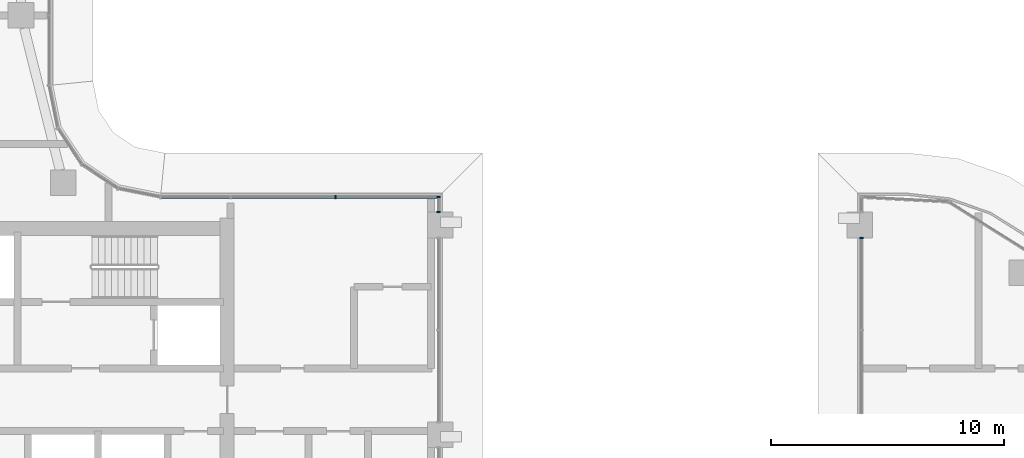
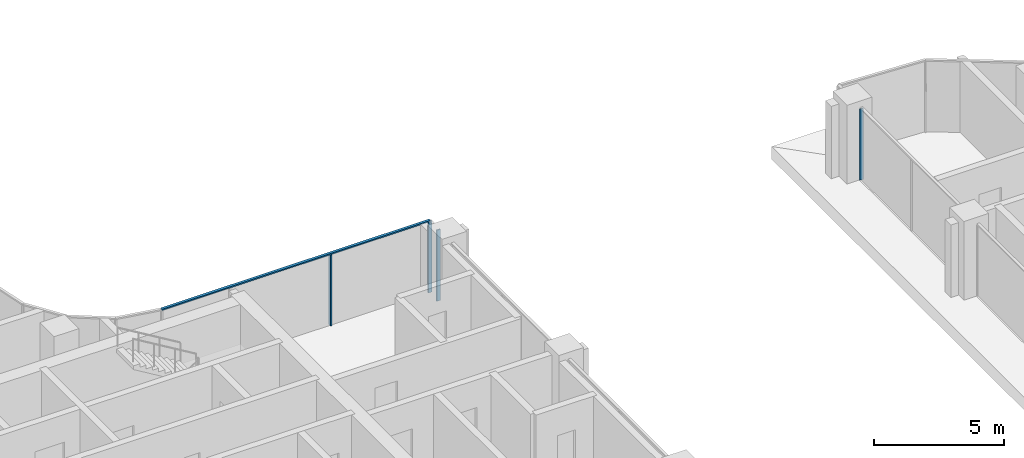
# One storey, part 4 of 27: 5 members, 3 elements without a shape of their own.
"""IFC4 building model written with IfcOpenShell, lengths in metres."""

import ifcopenshell
import ifcopenshell.guid

model = None  # the IFC model being written
_history = None  # IfcOwnerHistory: only IFC2X3 demands one
_inside = {}  # id of a spatial element -> (the spatial element, [elements in it])
_under = {}  # id of a project, library or spatial element -> (it, [spatial elements below it])
_declared = {}  # id of a project -> (the project, [libraries it declares])
_typed = {}  # id of a type object -> (the type object, [elements of that type])
_made_of = {}  # id of a material, layer set ... -> (it, [elements and type objects made of it])


def new_model(schema):
    """Start an empty IFC model of exactly this schema.

    Asked for "IFC4X3", IfcOpenShell would pick the latest addendum, in which some entities
    have other attributes; the version numbers below select the first issue.
    IFC2X3 requires an IfcOwnerHistory on every rooted entity: one is made here for all.
    """
    global model, _history
    if schema == "IFC4X3":
        model = ifcopenshell.file(schema_version=(4, 3, 0, 0))
    else:
        model = ifcopenshell.file(schema=schema)
    _inside.clear()
    _under.clear()
    _declared.clear()
    _typed.clear()
    _made_of.clear()
    _history = None
    if model.schema == "IFC2X3":
        org = make("IfcOrganization", Name="unknown")
        user = make(
            "IfcPersonAndOrganization",
            ThePerson=make("IfcPerson", FamilyName="unknown"),
            TheOrganization=org,
        )
        app = make(
            "IfcApplication",
            ApplicationDeveloper=org,
            Version="unknown",
            ApplicationFullName="unknown",
            ApplicationIdentifier="unknown",
        )
        _history = make(
            "IfcOwnerHistory",
            OwningUser=user,
            OwningApplication=app,
            ChangeAction="ADDED",
            CreationDate=0,
        )
    return model


def make(cls, **values):
    """One entity of the class cls with the attributes given. An attribute that is None is left unset."""
    return model.create_entity(
        cls, **{name: value for name, value in values.items() if value is not None}
    )


def rooted(cls, **values):
    """An entity with a GlobalId (a new one), such as an element, a storey or a relation."""
    return make(cls, GlobalId=ifcopenshell.guid.new(), OwnerHistory=_history, **values)


def si_unit(unit_type, name, prefix=None):
    """IfcSIUnit, for example si_unit("LENGTHUNIT", "METRE", prefix="MILLI")."""
    return make("IfcSIUnit", UnitType=unit_type, Prefix=prefix, Name=name)


def assignment(units):
    """IfcUnitAssignment: the units of a project."""
    return None if units is None else make("IfcUnitAssignment", Units=units)


def point(xyz):
    """IfcCartesianPoint."""
    return None if xyz is None else make("IfcCartesianPoint", Coordinates=xyz)


def direction(xyz):
    """IfcDirection."""
    return None if xyz is None else make("IfcDirection", DirectionRatios=xyz)


def frame(location, z_axis=None, x_axis=None):
    """IfcAxis2Placement3D, a coordinate frame: its origin and axes. An axis left out is left unset."""
    return make(
        "IfcAxis2Placement3D",
        Location=point(location),
        Axis=direction(z_axis),
        RefDirection=direction(x_axis),
    )


def frame_2d(location, x_axis=None):
    """IfcAxis2Placement2D, a coordinate frame in the plane: its origin and x axis."""
    return make(
        "IfcAxis2Placement2D", Location=point(location), RefDirection=direction(x_axis)
    )


def origin():
    """The frame at (0, 0, 0) with its axes left unset."""
    return frame((0.0, 0.0, 0.0))


def origin_2d():
    """The frame at (0, 0) in the plane with its x axis left unset."""
    return frame_2d((0.0, 0.0))


def place(relative_to, where):
    """IfcLocalPlacement: puts the frame where relative to a parent placement (None: the world)."""
    return make(
        "IfcLocalPlacement", PlacementRelTo=relative_to, RelativePlacement=where
    )


def context(
    kind, dimensions, precision=None, world=None, true_north=None, identifier=None
):
    """IfcGeometricRepresentationContext, for example the 3D "Model" context."""
    return make(
        "IfcGeometricRepresentationContext",
        ContextIdentifier=identifier,
        ContextType=kind,
        CoordinateSpaceDimension=dimensions,
        Precision=precision,
        WorldCoordinateSystem=world,
        TrueNorth=true_north,
    )


def subcontext(parent, identifier, kind, view, scale=None):
    """IfcGeometricRepresentationSubContext, for example "Body" below "Model"."""
    return make(
        "IfcGeometricRepresentationSubContext",
        ContextIdentifier=identifier,
        ContextType=kind,
        ParentContext=parent,
        TargetScale=scale,
        TargetView=view,
    )


def project(units=None, contexts=None):
    """IfcProject with its units and contexts."""
    return rooted(
        "IfcProject",
        Name="project",
        RepresentationContexts=contexts,
        UnitsInContext=assignment(units),
    )


def spatial(cls, under=None, at=None, **own):
    """A site, building, storey or space (cls), placed at a placement, below another one or the project."""
    s = rooted(cls, ObjectPlacement=at, **own)
    if under is not None:
        _under.setdefault(under.id(), (under, []))[1].append(s)
    return s


def profile(cls, at=None, kind="AREA", **sizes):
    """A parametric profile (cls). Its sizes go by their IFC names, for example OverallWidth=200.0."""
    return make(cls, ProfileType=kind, Position=at, **sizes)


def rectangle(**sizes):
    """IfcRectangleProfileDef."""
    return profile("IfcRectangleProfileDef", **sizes)


def extrude(swept, where, along, depth):
    """IfcExtrudedAreaSolid: the profile swept, set in the frame where, extruded along a direction by depth."""
    return make(
        "IfcExtrudedAreaSolid",
        SweptArea=swept,
        Position=where,
        ExtrudedDirection=direction(along),
        Depth=depth,
    )


def shape(context_of_items, identifier, shape_type, items):
    """IfcShapeRepresentation: the items that make up one representation, for example the "Body"."""
    return make(
        "IfcShapeRepresentation",
        ContextOfItems=context_of_items,
        RepresentationIdentifier=identifier,
        RepresentationType=shape_type,
        Items=items,
    )


def material(Name=None, Category=None):
    """IfcMaterial."""
    return make("IfcMaterial", Name=Name, Category=Category)


def material_profile(
    of_material, cross_section, Name=None, Category=None, Priority=None
):
    """IfcMaterialProfile: a cross section and its material."""
    return make(
        "IfcMaterialProfile",
        Name=Name,
        Material=of_material,
        Profile=cross_section,
        Priority=Priority,
        Category=Category,
    )


def profile_set(profiles, Name=None, composite=None):
    """IfcMaterialProfileSet."""
    return make(
        "IfcMaterialProfileSet",
        Name=Name,
        MaterialProfiles=profiles,
        CompositeProfile=composite,
    )


def made_of(thing, what):
    """Note that an element or type object is made of a material, layer set ...; save() writes the relation."""
    if what is not None:
        _made_of.setdefault(what.id(), (what, []))[1].append(thing)
    return thing


def type_object(cls, material=None, **own):
    """A type object (cls), such as IfcWallType, which elements share."""
    return made_of(rooted(cls, **own), material)


def element(
    cls,
    number,
    at=None,
    inside=None,
    cuts=None,
    type_object=None,
    material=None,
    context=None,
    identifier="Body",
    shape_type=None,
    held_by="IfcProductDefinitionShape",
    body=None,
    shapes=None,
    **own,
):
    """One element of the class cls, such as IfcWall. Its Tag is "e" and its number.

    at: its placement. inside: the storey or other place that contains it. cuts: it is an
    opening in that element (IfcRelVoidsElement). A single representation is given by context,
    identifier, shape_type and body (its items); several are given by shapes. held_by: the class
    of the entity that holds the representations. save() writes the other relations.
    """
    e = rooted(cls, Tag="e%d" % number, ObjectPlacement=at, **own)
    if body is not None:
        shapes = [shape(context, identifier, shape_type, body)]
    if shapes is not None:
        e.Representation = make(held_by, Representations=shapes)
    if inside is not None:
        _inside.setdefault(inside.id(), (inside, []))[1].append(e)
    if cuts is not None:
        rooted(
            "IfcRelVoidsElement", RelatingBuildingElement=cuts, RelatedOpeningElement=e
        )
    if type_object is not None:
        _typed.setdefault(type_object.id(), (type_object, []))[1].append(e)
    return made_of(e, material)


def aggregate(whole, parts):
    """IfcRelAggregates: a whole, such as a stair, and the parts it consists of."""
    return rooted("IfcRelAggregates", RelatingObject=whole, RelatedObjects=parts)


def save(model, path):
    """Write the relations noted so far, then the file.

    IfcRelAggregates (storeys below a building ...), IfcRelContainedInSpatialStructure (elements
    in a storey), IfcRelDefinesByType, IfcRelAssociatesMaterial and IfcRelDeclares: one each for
    every whole, place, type object, material and project.
    """
    for whole, parts in _under.values():
        aggregate(whole, parts)
    for where, things in _inside.values():
        rooted(
            "IfcRelContainedInSpatialStructure",
            RelatedElements=things,
            RelatingStructure=where,
        )
    for kind, things in _typed.values():
        rooted("IfcRelDefinesByType", RelatedObjects=things, RelatingType=kind)
    for what, things in _made_of.values():
        rooted("IfcRelAssociatesMaterial", RelatedObjects=things, RelatingMaterial=what)
    for by, libraries in _declared.values():
        rooted("IfcRelDeclares", RelatingContext=by, RelatedDefinitions=libraries)
    model.write(path)


model = new_model("IFC4")

# Units and contexts
model_context = context("Model", 3, precision=1e-05, world=origin(), true_north=direction((0.0, 1.0)))
body_context = subcontext(model_context, "Body", "Model", "MODEL_VIEW")
ifc_project = project(units=[si_unit("LENGTHUNIT", "METRE"), si_unit("AREAUNIT", "SQUARE_METRE"), si_unit("VOLUMEUNIT", "CUBIC_METRE"), si_unit("PLANEANGLEUNIT", "RADIAN"), si_unit("MASSUNIT", "GRAM", prefix="KILO")], contexts=[model_context])

# Site, building, storey
site_placement = place(None, origin())
site = spatial("IfcSite", under=ifc_project, at=site_placement, CompositionType="ELEMENT")
building_placement = place(site_placement, origin())
building = spatial("IfcBuilding", under=site, at=building_placement, Name="Ogive Portal Towers", CompositionType="ELEMENT")
storey_placement = place(building_placement, frame((0.0, 0.0, 160.699951171875)))
storey = spatial("IfcBuildingStorey", under=building, at=storey_placement, Name="L39", CompositionType="ELEMENT", Elevation=160.699951171875)

# Curtain wall, members
ifc_material_1 = material(Name="Glass, clear low-iron insulated glazing", Category="glass")
curtain_wall_type_1 = type_object("IfcCurtainWallType", Name="CW PORTAL REVEAL", PredefinedType="NOTDEFINED", material=ifc_material_1)
curtain_wall_1_placement = place(storey_placement, origin())
curtain_wall_1 = element("IfcCurtainWall", 1, at=curtain_wall_1_placement, inside=storey, type_object=curtain_wall_type_1, Name="A:L39:f06:cw0~3", PredefinedType="NOTDEFINED")
ifc_material_2 = material(Name="Aluminium 6063 anodised", Category="aluminium")
ifc_material_profile_1 = material_profile(ifc_material_2, rectangle(XDim=0.159912109375, YDim=0.06005859375, at=origin_2d()), Name="AL 60x160")
ifc_profile_set_1 = profile_set([ifc_material_profile_1], Name="Aluminium 6063 anodised")
member_type_1 = type_object("IfcMemberType", Name="CW MULLION 60x160", PredefinedType="MULLION", material=ifc_profile_set_1)
member_1_placement = place(storey_placement, frame((67.419921875, 40.050048828125, 0.0), z_axis=(0.0, 0.0, 1.0), x_axis=(-1.0, 0.0, 0.0)))
member_1 = element("IfcMember", 2, at=member_1_placement, type_object=member_type_1, Name="mullion", PredefinedType="MULLION", context=body_context, shape_type="SweptSolid", body=[
    extrude(rectangle(XDim=0.159912109375, YDim=0.06005859375, at=origin_2d()), origin(), (0.0, 0.0, 1.0), 3.340087890625),
])
member_2_placement = place(storey_placement, frame((67.419921875, 40.705078125, 0.0), z_axis=(0.0, 0.0, 1.0), x_axis=(-1.0, 0.0, 0.0)))
member_2 = element("IfcMember", 3, at=member_2_placement, type_object=member_type_1, Name="mullion", PredefinedType="MULLION", context=body_context, shape_type="SweptSolid", body=[
    extrude(rectangle(XDim=0.159912109375, YDim=0.06005859375, at=origin_2d()), origin(), (0.0, 0.0, 1.0), 3.340087890625),
])
aggregate(curtain_wall_1, [member_1, member_2])

# Curtain wall, member
curtain_wall_type_2 = type_object("IfcCurtainWallType", Name="CW FRONT RIBBON 4500", PredefinedType="NOTDEFINED", material=ifc_material_1)
curtain_wall_2_placement = place(storey_placement, origin())
curtain_wall_2 = element("IfcCurtainWall", 4, at=curtain_wall_2_placement, inside=storey, type_object=curtain_wall_type_2, Name="A:L39:f07:cw0", PredefinedType="NOTDEFINED")
member_3_placement = place(storey_placement, frame((63.0, 40.705078125, 0.0), z_axis=(0.0, 0.0, 1.0), x_axis=(0.0, -1.0, 0.0)))
member_3 = element("IfcMember", 5, at=member_3_placement, type_object=member_type_1, Name="mullion", PredefinedType="MULLION", context=body_context, shape_type="SweptSolid", body=[
    extrude(rectangle(XDim=0.159912109375, YDim=0.06005859375, at=origin_2d()), origin(), (0.0, 0.0, 1.0), 3.340087890625),
])

curtain_wall_3_placement = place(storey_placement, origin())
curtain_wall_3 = element("IfcCurtainWall", 6, at=curtain_wall_3_placement, inside=storey, type_object=curtain_wall_type_1, Name="A:L39:f22:cw0~1", PredefinedType="NOTDEFINED")
member_4_placement = place(storey_placement, frame((85.580078125, 38.949951171875, 0.0), z_axis=(0.0, 0.0, 1.0), x_axis=(1.0, 0.0, 0.0)))
member_4 = element("IfcMember", 7, at=member_4_placement, type_object=member_type_1, Name="mullion", PredefinedType="MULLION", context=body_context, shape_type="SweptSolid", body=[
    extrude(rectangle(XDim=0.159912109375, YDim=0.06005859375, at=origin_2d()), origin(), (0.0, 0.0, 1.0), 3.340087890625),
])
aggregate(curtain_wall_3, [member_4])

# Member
ifc_material_profile_2 = material_profile(ifc_material_2, rectangle(XDim=0.1201171875, YDim=0.06005859375, at=origin_2d()), Name="AL 120x60")
ifc_profile_set_2 = profile_set([ifc_material_profile_2], Name="Aluminium 6063 anodised")
member_type_2 = type_object("IfcMemberType", Name="CW TRANSOM 60x120", PredefinedType="USERDEFINED", material=ifc_profile_set_2)
member_5_placement = place(storey_placement, frame((67.419921875, 40.705078125, 3.3701171875), z_axis=(-1.0, 0.0, 0.0), x_axis=(0.0, -1.0, 0.0)))
member_5 = element("IfcMember", 8, at=member_5_placement, type_object=member_type_2, Name="transom", ObjectType="TRANSOM", PredefinedType="USERDEFINED", context=body_context, shape_type="SweptSolid", body=[
    extrude(rectangle(XDim=0.1201171875, YDim=0.06005859375, at=origin_2d()), origin(), (0.0, 0.0, 1.0), 11.927734375),
])

aggregate(curtain_wall_2, [member_5, member_3])

save(model, "model.ifc")
